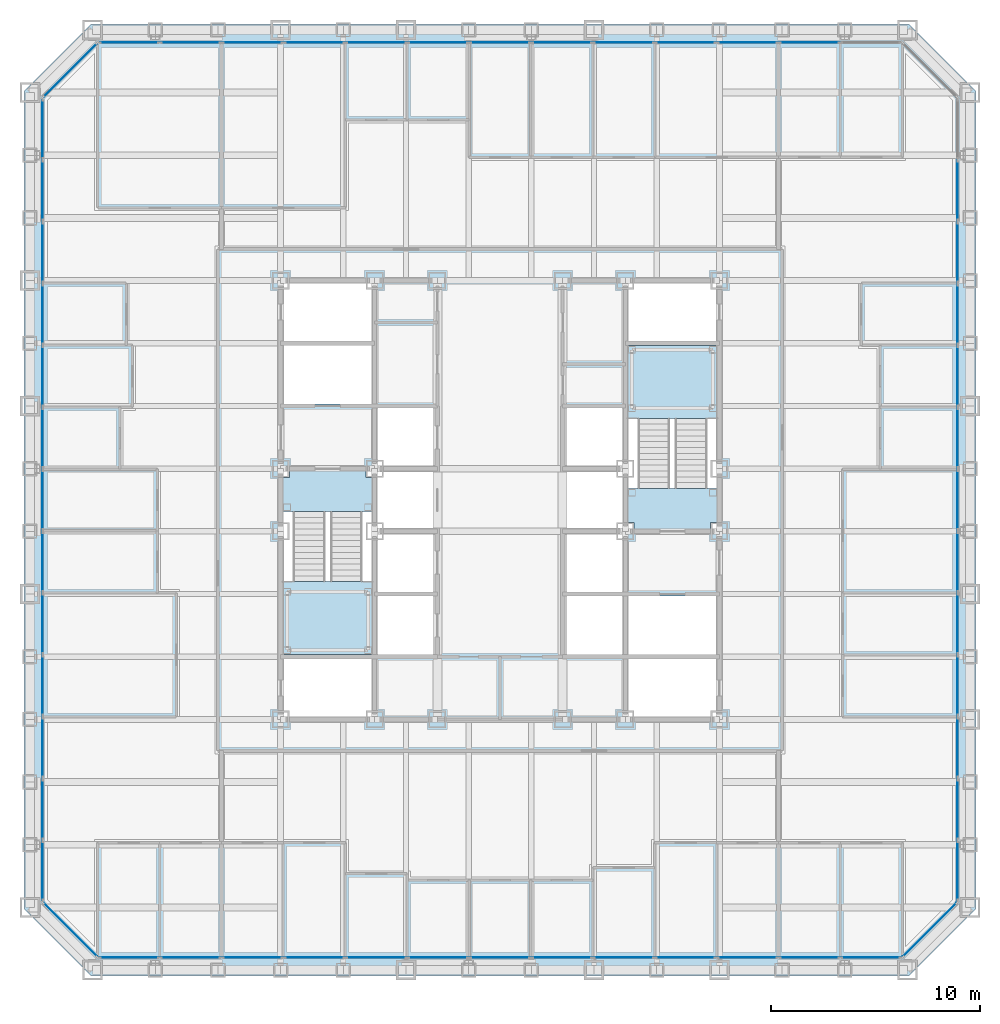
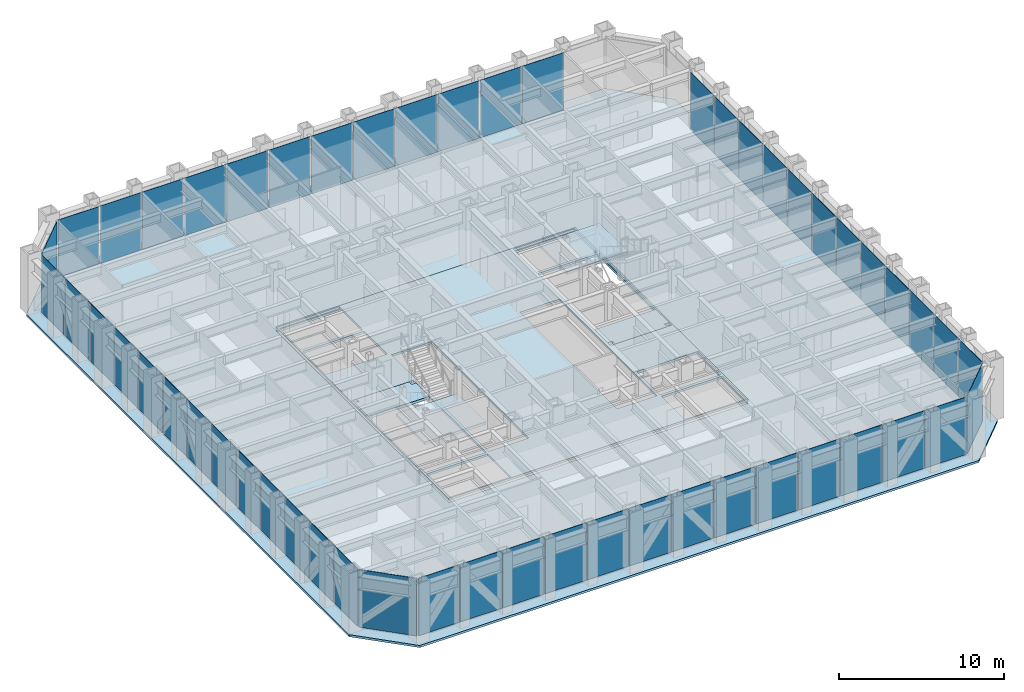
# One storey, part 7 of 16: 53 plates, 6 slabs, 9 elements without a shape of their own.
"""IFC4 building model written with IfcOpenShell, lengths in metres."""

import ifcopenshell
import ifcopenshell.guid

model = None  # the IFC model being written
_history = None  # IfcOwnerHistory: only IFC2X3 demands one
_inside = {}  # id of a spatial element -> (the spatial element, [elements in it])
_under = {}  # id of a project, library or spatial element -> (it, [spatial elements below it])
_declared = {}  # id of a project -> (the project, [libraries it declares])
_typed = {}  # id of a type object -> (the type object, [elements of that type])
_made_of = {}  # id of a material, layer set ... -> (it, [elements and type objects made of it])


def new_model(schema):
    """Start an empty IFC model of exactly this schema.

    Asked for "IFC4X3", IfcOpenShell would pick the latest addendum, in which some entities
    have other attributes; the version numbers below select the first issue.
    IFC2X3 requires an IfcOwnerHistory on every rooted entity: one is made here for all.
    """
    global model, _history
    if schema == "IFC4X3":
        model = ifcopenshell.file(schema_version=(4, 3, 0, 0))
    else:
        model = ifcopenshell.file(schema=schema)
    _inside.clear()
    _under.clear()
    _declared.clear()
    _typed.clear()
    _made_of.clear()
    _history = None
    if model.schema == "IFC2X3":
        org = make("IfcOrganization", Name="unknown")
        user = make(
            "IfcPersonAndOrganization",
            ThePerson=make("IfcPerson", FamilyName="unknown"),
            TheOrganization=org,
        )
        app = make(
            "IfcApplication",
            ApplicationDeveloper=org,
            Version="unknown",
            ApplicationFullName="unknown",
            ApplicationIdentifier="unknown",
        )
        _history = make(
            "IfcOwnerHistory",
            OwningUser=user,
            OwningApplication=app,
            ChangeAction="ADDED",
            CreationDate=0,
        )
    return model


def make(cls, **values):
    """One entity of the class cls with the attributes given. An attribute that is None is left unset."""
    return model.create_entity(
        cls, **{name: value for name, value in values.items() if value is not None}
    )


def rooted(cls, **values):
    """An entity with a GlobalId (a new one), such as an element, a storey or a relation."""
    return make(cls, GlobalId=ifcopenshell.guid.new(), OwnerHistory=_history, **values)


def si_unit(unit_type, name, prefix=None):
    """IfcSIUnit, for example si_unit("LENGTHUNIT", "METRE", prefix="MILLI")."""
    return make("IfcSIUnit", UnitType=unit_type, Prefix=prefix, Name=name)


def assignment(units):
    """IfcUnitAssignment: the units of a project."""
    return None if units is None else make("IfcUnitAssignment", Units=units)


def point(xyz):
    """IfcCartesianPoint."""
    return None if xyz is None else make("IfcCartesianPoint", Coordinates=xyz)


def direction(xyz):
    """IfcDirection."""
    return None if xyz is None else make("IfcDirection", DirectionRatios=xyz)


def frame(location, z_axis=None, x_axis=None):
    """IfcAxis2Placement3D, a coordinate frame: its origin and axes. An axis left out is left unset."""
    return make(
        "IfcAxis2Placement3D",
        Location=point(location),
        Axis=direction(z_axis),
        RefDirection=direction(x_axis),
    )


def frame_2d(location, x_axis=None):
    """IfcAxis2Placement2D, a coordinate frame in the plane: its origin and x axis."""
    return make(
        "IfcAxis2Placement2D", Location=point(location), RefDirection=direction(x_axis)
    )


def origin():
    """The frame at (0, 0, 0) with its axes left unset."""
    return frame((0.0, 0.0, 0.0))


def origin_2d():
    """The frame at (0, 0) in the plane with its x axis left unset."""
    return frame_2d((0.0, 0.0))


def place(relative_to, where):
    """IfcLocalPlacement: puts the frame where relative to a parent placement (None: the world)."""
    return make(
        "IfcLocalPlacement", PlacementRelTo=relative_to, RelativePlacement=where
    )


def context(
    kind, dimensions, precision=None, world=None, true_north=None, identifier=None
):
    """IfcGeometricRepresentationContext, for example the 3D "Model" context."""
    return make(
        "IfcGeometricRepresentationContext",
        ContextIdentifier=identifier,
        ContextType=kind,
        CoordinateSpaceDimension=dimensions,
        Precision=precision,
        WorldCoordinateSystem=world,
        TrueNorth=true_north,
    )


def subcontext(parent, identifier, kind, view, scale=None):
    """IfcGeometricRepresentationSubContext, for example "Body" below "Model"."""
    return make(
        "IfcGeometricRepresentationSubContext",
        ContextIdentifier=identifier,
        ContextType=kind,
        ParentContext=parent,
        TargetScale=scale,
        TargetView=view,
    )


def project(units=None, contexts=None):
    """IfcProject with its units and contexts."""
    return rooted(
        "IfcProject",
        Name="project",
        RepresentationContexts=contexts,
        UnitsInContext=assignment(units),
    )


def spatial(cls, under=None, at=None, **own):
    """A site, building, storey or space (cls), placed at a placement, below another one or the project."""
    s = rooted(cls, ObjectPlacement=at, **own)
    if under is not None:
        _under.setdefault(under.id(), (under, []))[1].append(s)
    return s


def polyline(points):
    """IfcPolyline through the points."""
    return make("IfcPolyline", Points=[point(p) for p in points])


def profile(cls, at=None, kind="AREA", **sizes):
    """A parametric profile (cls). Its sizes go by their IFC names, for example OverallWidth=200.0."""
    return make(cls, ProfileType=kind, Position=at, **sizes)


def rectangle(**sizes):
    """IfcRectangleProfileDef."""
    return profile("IfcRectangleProfileDef", **sizes)


def outline(outer, holes=None, kind="AREA"):
    """IfcArbitraryClosedProfileDef: a profile drawn as a closed curve; with holes, ...WithVoids."""
    if holes is None:
        return make("IfcArbitraryClosedProfileDef", ProfileType=kind, OuterCurve=outer)
    return make(
        "IfcArbitraryProfileDefWithVoids",
        ProfileType=kind,
        OuterCurve=outer,
        InnerCurves=holes,
    )


def extrude(swept, where, along, depth):
    """IfcExtrudedAreaSolid: the profile swept, set in the frame where, extruded along a direction by depth."""
    return make(
        "IfcExtrudedAreaSolid",
        SweptArea=swept,
        Position=where,
        ExtrudedDirection=direction(along),
        Depth=depth,
    )


def shape(context_of_items, identifier, shape_type, items):
    """IfcShapeRepresentation: the items that make up one representation, for example the "Body"."""
    return make(
        "IfcShapeRepresentation",
        ContextOfItems=context_of_items,
        RepresentationIdentifier=identifier,
        RepresentationType=shape_type,
        Items=items,
    )


def material(Name=None, Category=None):
    """IfcMaterial."""
    return make("IfcMaterial", Name=Name, Category=Category)


def layer(
    of_material, thickness, ventilated=None, Name=None, Category=None, Priority=None
):
    """IfcMaterialLayer: one layer of a wall or slab, of a material (None: an air gap)."""
    return make(
        "IfcMaterialLayer",
        Material=of_material,
        LayerThickness=thickness,
        IsVentilated=ventilated,
        Name=Name,
        Category=Category,
        Priority=Priority,
    )


def layer_set(layers, Name=None):
    """IfcMaterialLayerSet."""
    return make("IfcMaterialLayerSet", MaterialLayers=layers, LayerSetName=Name)


def made_of(thing, what):
    """Note that an element or type object is made of a material, layer set ...; save() writes the relation."""
    if what is not None:
        _made_of.setdefault(what.id(), (what, []))[1].append(thing)
    return thing


def type_object(cls, material=None, **own):
    """A type object (cls), such as IfcWallType, which elements share."""
    return made_of(rooted(cls, **own), material)


def element(
    cls,
    number,
    at=None,
    inside=None,
    cuts=None,
    type_object=None,
    material=None,
    context=None,
    identifier="Body",
    shape_type=None,
    held_by="IfcProductDefinitionShape",
    body=None,
    shapes=None,
    **own,
):
    """One element of the class cls, such as IfcWall. Its Tag is "e" and its number.

    at: its placement. inside: the storey or other place that contains it. cuts: it is an
    opening in that element (IfcRelVoidsElement). A single representation is given by context,
    identifier, shape_type and body (its items); several are given by shapes. held_by: the class
    of the entity that holds the representations. save() writes the other relations.
    """
    e = rooted(cls, Tag="e%d" % number, ObjectPlacement=at, **own)
    if body is not None:
        shapes = [shape(context, identifier, shape_type, body)]
    if shapes is not None:
        e.Representation = make(held_by, Representations=shapes)
    if inside is not None:
        _inside.setdefault(inside.id(), (inside, []))[1].append(e)
    if cuts is not None:
        rooted(
            "IfcRelVoidsElement", RelatingBuildingElement=cuts, RelatedOpeningElement=e
        )
    if type_object is not None:
        _typed.setdefault(type_object.id(), (type_object, []))[1].append(e)
    return made_of(e, material)


def aggregate(whole, parts):
    """IfcRelAggregates: a whole, such as a stair, and the parts it consists of."""
    return rooted("IfcRelAggregates", RelatingObject=whole, RelatedObjects=parts)


def save(model, path):
    """Write the relations noted so far, then the file.

    IfcRelAggregates (storeys below a building ...), IfcRelContainedInSpatialStructure (elements
    in a storey), IfcRelDefinesByType, IfcRelAssociatesMaterial and IfcRelDeclares: one each for
    every whole, place, type object, material and project.
    """
    for whole, parts in _under.values():
        aggregate(whole, parts)
    for where, things in _inside.values():
        rooted(
            "IfcRelContainedInSpatialStructure",
            RelatedElements=things,
            RelatingStructure=where,
        )
    for kind, things in _typed.values():
        rooted("IfcRelDefinesByType", RelatedObjects=things, RelatingType=kind)
    for what, things in _made_of.values():
        rooted("IfcRelAssociatesMaterial", RelatedObjects=things, RelatingMaterial=what)
    for by, libraries in _declared.values():
        rooted("IfcRelDeclares", RelatingContext=by, RelatedDefinitions=libraries)
    model.write(path)


model = new_model("IFC4")

# Units and contexts
model_context = context("Model", 3, precision=1e-05, world=origin(), true_north=direction((0.0, 1.0)))
body_context = subcontext(model_context, "Body", "Model", "MODEL_VIEW")
ifc_project = project(units=[si_unit("LENGTHUNIT", "METRE"), si_unit("AREAUNIT", "SQUARE_METRE"), si_unit("VOLUMEUNIT", "CUBIC_METRE"), si_unit("PLANEANGLEUNIT", "RADIAN"), si_unit("MASSUNIT", "GRAM", prefix="KILO")], contexts=[model_context])

# Site, building, storey
site_placement = place(None, origin())
site = spatial("IfcSite", under=ifc_project, at=site_placement, CompositionType="ELEMENT")
building_placement = place(site_placement, origin())
building = spatial("IfcBuilding", under=site, at=building_placement, Name="Chuquiago Exchange Tower", CompositionType="ELEMENT")
storey_placement = place(building_placement, frame((0.0, 0.0, 73.800048828125)))
storey = spatial("IfcBuildingStorey", under=building, at=storey_placement, Name="L15", CompositionType="ELEMENT", Elevation=73.800048828125)

# Curtain wall, plates
ifc_material_1 = material(Name="Aluminium curtain wall system", Category="aluminium")
ifc_layer_1 = layer(ifc_material_1, 0.25)
ifc_layer_set_1 = layer_set([ifc_layer_1], Name="CW1 trading floor curtain wall")
curtain_wall_type_1 = type_object("IfcCurtainWallType", Name="CW1 trading floor curtain wall", PredefinedType="NOTDEFINED", material=ifc_layer_set_1)
curtain_wall_1_placement = place(storey_placement, origin())
curtain_wall_1 = element("IfcCurtainWall", 1, at=curtain_wall_1_placement, inside=storey, type_object=curtain_wall_type_1, Name="CW1 curtain wall L15", PredefinedType="NOTDEFINED")
ifc_material_2 = material(Name="Glass, insulating unit", Category="glass")
ifc_layer_2 = layer(ifc_material_2, 0.031982421875)
ifc_layer_set_2 = layer_set([ifc_layer_2], Name="CW1-P panel 32")
plate_type_1 = type_object("IfcPlateType", Name="CW1-P panel 32", PredefinedType="CURTAIN_PANEL", material=ifc_layer_set_2)
plate_1_placement = place(storey_placement, frame((10.65283203125, 0.60009765625, -0.22509765625), z_axis=(0.0, 0.0, 1.0), x_axis=(1.0, 0.0, 0.0)))
plate_1 = element("IfcPlate", 2, at=plate_1_placement, type_object=plate_type_1, Name="CW1 panel 3.1", PredefinedType="CURTAIN_PANEL", context=body_context, shape_type="SweptSolid", body=[
    extrude(rectangle(XDim=2.88671875, YDim=0.031982421875, at=origin_2d()), origin(), (0.0, 0.0, 1.0), 4.264892578125),
])
plate_2_placement = place(storey_placement, frame((13.61474609375, 0.60009765625, -0.22509765625), z_axis=(0.0, 0.0, 1.0), x_axis=(1.0, 0.0, 0.0)))
plate_2 = element("IfcPlate", 3, at=plate_2_placement, type_object=plate_type_1, Name="CW1 panel 4.1", PredefinedType="CURTAIN_PANEL", context=body_context, shape_type="SweptSolid", body=[
    extrude(rectangle(XDim=2.88671875, YDim=0.031982421875, at=origin_2d()), origin(), (0.0, 0.0, 1.0), 4.264892578125),
])
plate_3_placement = place(storey_placement, frame((16.576416015625, 0.60009765625, -0.22509765625), z_axis=(0.0, 0.0, 1.0), x_axis=(1.0, 0.0, 0.0)))
plate_3 = element("IfcPlate", 4, at=plate_3_placement, type_object=plate_type_1, Name="CW1 panel 5.1", PredefinedType="CURTAIN_PANEL", context=body_context, shape_type="SweptSolid", body=[
    extrude(rectangle(XDim=2.88671875, YDim=0.031982421875, at=origin_2d()), origin(), (0.0, 0.0, 1.0), 4.264892578125),
])
plate_4_placement = place(storey_placement, frame((25.461669921875, 0.60009765625, -0.22509765625), z_axis=(0.0, 0.0, 1.0), x_axis=(1.0, 0.0, 0.0)))
plate_4 = element("IfcPlate", 5, at=plate_4_placement, type_object=plate_type_1, Name="CW1 panel 8.1", PredefinedType="CURTAIN_PANEL", context=body_context, shape_type="SweptSolid", body=[
    extrude(rectangle(XDim=2.88671875, YDim=0.031982421875, at=origin_2d()), origin(), (0.0, 0.0, 1.0), 4.264892578125),
])
plate_5_placement = place(storey_placement, frame((28.423583984375, 0.60009765625, -0.22509765625), z_axis=(0.0, 0.0, 1.0), x_axis=(1.0, 0.0, 0.0)))
plate_5 = element("IfcPlate", 6, at=plate_5_placement, type_object=plate_type_1, Name="CW1 panel 9.1", PredefinedType="CURTAIN_PANEL", context=body_context, shape_type="SweptSolid", body=[
    extrude(rectangle(XDim=2.88671875, YDim=0.031982421875, at=origin_2d()), origin(), (0.0, 0.0, 1.0), 4.264892578125),
])
plate_6_placement = place(storey_placement, frame((31.38525390625, 0.60009765625, -0.22509765625), z_axis=(0.0, 0.0, 1.0), x_axis=(1.0, 0.0, 0.0)))
plate_6 = element("IfcPlate", 7, at=plate_6_placement, type_object=plate_type_1, Name="CW1 panel 10.1", PredefinedType="CURTAIN_PANEL", context=body_context, shape_type="SweptSolid", body=[
    extrude(rectangle(XDim=2.88671875, YDim=0.031982421875, at=origin_2d()), origin(), (0.0, 0.0, 1.0), 4.264892578125),
])
plate_7_placement = place(storey_placement, frame((34.34716796875, 0.60009765625, -0.22509765625), z_axis=(0.0, 0.0, 1.0), x_axis=(1.0, 0.0, 0.0)))
plate_7 = element("IfcPlate", 8, at=plate_7_placement, type_object=plate_type_1, Name="CW1 panel 11.1", PredefinedType="CURTAIN_PANEL", context=body_context, shape_type="SweptSolid", body=[
    extrude(rectangle(XDim=2.88671875, YDim=0.031982421875, at=origin_2d()), origin(), (0.0, 0.0, 1.0), 4.264892578125),
])

curtain_wall_2_placement = place(storey_placement, origin())
curtain_wall_2 = element("IfcCurtainWall", 9, at=curtain_wall_2_placement, inside=storey, type_object=curtain_wall_type_1, Name="CW1 curtain wall L15", PredefinedType="NOTDEFINED")
plate_8_placement = place(storey_placement, frame((44.39990234375, 10.65283203125, -0.22509765625), z_axis=(0.0, 0.0, 1.0), x_axis=(0.0, 1.0, 0.0)))
plate_8 = element("IfcPlate", 10, at=plate_8_placement, type_object=plate_type_1, Name="CW1 panel 3.1", PredefinedType="CURTAIN_PANEL", context=body_context, shape_type="SweptSolid", body=[
    extrude(rectangle(XDim=2.88671875, YDim=0.031982421875, at=origin_2d()), origin(), (0.0, 0.0, 1.0), 4.264892578125),
])
plate_9_placement = place(storey_placement, frame((44.39990234375, 13.61474609375, -0.22509765625), z_axis=(0.0, 0.0, 1.0), x_axis=(0.0, 1.0, 0.0)))
plate_9 = element("IfcPlate", 11, at=plate_9_placement, type_object=plate_type_1, Name="CW1 panel 4.1", PredefinedType="CURTAIN_PANEL", context=body_context, shape_type="SweptSolid", body=[
    extrude(rectangle(XDim=2.88671875, YDim=0.031982421875, at=origin_2d()), origin(), (0.0, 0.0, 1.0), 4.264892578125),
])
plate_10_placement = place(storey_placement, frame((44.39990234375, 16.576416015625, -0.22509765625), z_axis=(0.0, 0.0, 1.0), x_axis=(0.0, 1.0, 0.0)))
plate_10 = element("IfcPlate", 12, at=plate_10_placement, type_object=plate_type_1, Name="CW1 panel 5.1", PredefinedType="CURTAIN_PANEL", context=body_context, shape_type="SweptSolid", body=[
    extrude(rectangle(XDim=2.88671875, YDim=0.031982421875, at=origin_2d()), origin(), (0.0, 0.0, 1.0), 4.264892578125),
])
plate_11_placement = place(storey_placement, frame((44.39990234375, 25.461669921875, -0.22509765625), z_axis=(0.0, 0.0, 1.0), x_axis=(0.0, 1.0, 0.0)))
plate_11 = element("IfcPlate", 13, at=plate_11_placement, type_object=plate_type_1, Name="CW1 panel 8.1", PredefinedType="CURTAIN_PANEL", context=body_context, shape_type="SweptSolid", body=[
    extrude(rectangle(XDim=2.88671875, YDim=0.031982421875, at=origin_2d()), origin(), (0.0, 0.0, 1.0), 4.264892578125),
])
plate_12_placement = place(storey_placement, frame((44.39990234375, 28.423583984375, -0.22509765625), z_axis=(0.0, 0.0, 1.0), x_axis=(0.0, 1.0, 0.0)))
plate_12 = element("IfcPlate", 14, at=plate_12_placement, type_object=plate_type_1, Name="CW1 panel 9.1", PredefinedType="CURTAIN_PANEL", context=body_context, shape_type="SweptSolid", body=[
    extrude(rectangle(XDim=2.88671875, YDim=0.031982421875, at=origin_2d()), origin(), (0.0, 0.0, 1.0), 4.264892578125),
])
plate_13_placement = place(storey_placement, frame((44.39990234375, 31.38525390625, -0.22509765625), z_axis=(0.0, 0.0, 1.0), x_axis=(0.0, 1.0, 0.0)))
plate_13 = element("IfcPlate", 15, at=plate_13_placement, type_object=plate_type_1, Name="CW1 panel 10.1", PredefinedType="CURTAIN_PANEL", context=body_context, shape_type="SweptSolid", body=[
    extrude(rectangle(XDim=2.88671875, YDim=0.031982421875, at=origin_2d()), origin(), (0.0, 0.0, 1.0), 4.264892578125),
])
plate_14_placement = place(storey_placement, frame((44.39990234375, 34.34716796875, -0.22509765625), z_axis=(0.0, 0.0, 1.0), x_axis=(0.0, 1.0, 0.0)))
plate_14 = element("IfcPlate", 16, at=plate_14_placement, type_object=plate_type_1, Name="CW1 panel 11.1", PredefinedType="CURTAIN_PANEL", context=body_context, shape_type="SweptSolid", body=[
    extrude(rectangle(XDim=2.88671875, YDim=0.031982421875, at=origin_2d()), origin(), (0.0, 0.0, 1.0), 4.264892578125),
])

curtain_wall_3_placement = place(storey_placement, origin())
curtain_wall_3 = element("IfcCurtainWall", 17, at=curtain_wall_3_placement, inside=storey, type_object=curtain_wall_type_1, Name="CW1 curtain wall L15", PredefinedType="NOTDEFINED")
plate_15_placement = place(storey_placement, frame((34.34716796875, 44.39990234375, -0.22509765625), z_axis=(0.0, 0.0, 1.0), x_axis=(-1.0, 0.0, 0.0)))
plate_15 = element("IfcPlate", 18, at=plate_15_placement, type_object=plate_type_1, Name="CW1 panel 3.1", PredefinedType="CURTAIN_PANEL", context=body_context, shape_type="SweptSolid", body=[
    extrude(rectangle(XDim=2.88671875, YDim=0.031982421875, at=origin_2d()), origin(), (0.0, 0.0, 1.0), 4.264892578125),
])
plate_16_placement = place(storey_placement, frame((31.38525390625, 44.39990234375, -0.22509765625), z_axis=(0.0, 0.0, 1.0), x_axis=(-1.0, 0.0, 0.0)))
plate_16 = element("IfcPlate", 19, at=plate_16_placement, type_object=plate_type_1, Name="CW1 panel 4.1", PredefinedType="CURTAIN_PANEL", context=body_context, shape_type="SweptSolid", body=[
    extrude(rectangle(XDim=2.88671875, YDim=0.031982421875, at=origin_2d()), origin(), (0.0, 0.0, 1.0), 4.264892578125),
])
plate_17_placement = place(storey_placement, frame((28.423583984375, 44.39990234375, -0.22509765625), z_axis=(0.0, 0.0, 1.0), x_axis=(-1.0, 0.0, 0.0)))
plate_17 = element("IfcPlate", 20, at=plate_17_placement, type_object=plate_type_1, Name="CW1 panel 5.1", PredefinedType="CURTAIN_PANEL", context=body_context, shape_type="SweptSolid", body=[
    extrude(rectangle(XDim=2.88671875, YDim=0.031982421875, at=origin_2d()), origin(), (0.0, 0.0, 1.0), 4.264892578125),
])
plate_18_placement = place(storey_placement, frame((19.538330078125, 44.39990234375, -0.22509765625), z_axis=(0.0, 0.0, 1.0), x_axis=(-1.0, 0.0, 0.0)))
plate_18 = element("IfcPlate", 21, at=plate_18_placement, type_object=plate_type_1, Name="CW1 panel 8.1", PredefinedType="CURTAIN_PANEL", context=body_context, shape_type="SweptSolid", body=[
    extrude(rectangle(XDim=2.88671875, YDim=0.031982421875, at=origin_2d()), origin(), (0.0, 0.0, 1.0), 4.264892578125),
])
plate_19_placement = place(storey_placement, frame((16.576416015625, 44.39990234375, -0.22509765625), z_axis=(0.0, 0.0, 1.0), x_axis=(-1.0, 0.0, 0.0)))
plate_19 = element("IfcPlate", 22, at=plate_19_placement, type_object=plate_type_1, Name="CW1 panel 9.1", PredefinedType="CURTAIN_PANEL", context=body_context, shape_type="SweptSolid", body=[
    extrude(rectangle(XDim=2.88671875, YDim=0.031982421875, at=origin_2d()), origin(), (0.0, 0.0, 1.0), 4.264892578125),
])
plate_20_placement = place(storey_placement, frame((13.61474609375, 44.39990234375, -0.22509765625), z_axis=(0.0, 0.0, 1.0), x_axis=(-1.0, 0.0, 0.0)))
plate_20 = element("IfcPlate", 23, at=plate_20_placement, type_object=plate_type_1, Name="CW1 panel 10.1", PredefinedType="CURTAIN_PANEL", context=body_context, shape_type="SweptSolid", body=[
    extrude(rectangle(XDim=2.88671875, YDim=0.031982421875, at=origin_2d()), origin(), (0.0, 0.0, 1.0), 4.264892578125),
])
plate_21_placement = place(storey_placement, frame((10.65283203125, 44.39990234375, -0.22509765625), z_axis=(0.0, 0.0, 1.0), x_axis=(-1.0, 0.0, 0.0)))
plate_21 = element("IfcPlate", 24, at=plate_21_placement, type_object=plate_type_1, Name="CW1 panel 11.1", PredefinedType="CURTAIN_PANEL", context=body_context, shape_type="SweptSolid", body=[
    extrude(rectangle(XDim=2.88671875, YDim=0.031982421875, at=origin_2d()), origin(), (0.0, 0.0, 1.0), 4.264892578125),
])

curtain_wall_4_placement = place(storey_placement, origin())
curtain_wall_4 = element("IfcCurtainWall", 25, at=curtain_wall_4_placement, inside=storey, type_object=curtain_wall_type_1, Name="CW1 curtain wall L15", PredefinedType="NOTDEFINED")
plate_22_placement = place(storey_placement, frame((0.60009765625, 34.34716796875, -0.22509765625), z_axis=(0.0, 0.0, 1.0), x_axis=(0.0, -1.0, 0.0)))
plate_22 = element("IfcPlate", 26, at=plate_22_placement, type_object=plate_type_1, Name="CW1 panel 3.1", PredefinedType="CURTAIN_PANEL", context=body_context, shape_type="SweptSolid", body=[
    extrude(rectangle(XDim=2.88671875, YDim=0.031982421875, at=origin_2d()), origin(), (0.0, 0.0, 1.0), 4.264892578125),
])
plate_23_placement = place(storey_placement, frame((0.60009765625, 31.38525390625, -0.22509765625), z_axis=(0.0, 0.0, 1.0), x_axis=(0.0, -1.0, 0.0)))
plate_23 = element("IfcPlate", 27, at=plate_23_placement, type_object=plate_type_1, Name="CW1 panel 4.1", PredefinedType="CURTAIN_PANEL", context=body_context, shape_type="SweptSolid", body=[
    extrude(rectangle(XDim=2.88671875, YDim=0.031982421875, at=origin_2d()), origin(), (0.0, 0.0, 1.0), 4.264892578125),
])
plate_24_placement = place(storey_placement, frame((0.60009765625, 28.423583984375, -0.22509765625), z_axis=(0.0, 0.0, 1.0), x_axis=(0.0, -1.0, 0.0)))
plate_24 = element("IfcPlate", 28, at=plate_24_placement, type_object=plate_type_1, Name="CW1 panel 5.1", PredefinedType="CURTAIN_PANEL", context=body_context, shape_type="SweptSolid", body=[
    extrude(rectangle(XDim=2.88671875, YDim=0.031982421875, at=origin_2d()), origin(), (0.0, 0.0, 1.0), 4.264892578125),
])
plate_25_placement = place(storey_placement, frame((0.60009765625, 19.538330078125, -0.22509765625), z_axis=(0.0, 0.0, 1.0), x_axis=(0.0, -1.0, 0.0)))
plate_25 = element("IfcPlate", 29, at=plate_25_placement, type_object=plate_type_1, Name="CW1 panel 8.1", PredefinedType="CURTAIN_PANEL", context=body_context, shape_type="SweptSolid", body=[
    extrude(rectangle(XDim=2.88671875, YDim=0.031982421875, at=origin_2d()), origin(), (0.0, 0.0, 1.0), 4.264892578125),
])
plate_26_placement = place(storey_placement, frame((0.60009765625, 16.576416015625, -0.22509765625), z_axis=(0.0, 0.0, 1.0), x_axis=(0.0, -1.0, 0.0)))
plate_26 = element("IfcPlate", 30, at=plate_26_placement, type_object=plate_type_1, Name="CW1 panel 9.1", PredefinedType="CURTAIN_PANEL", context=body_context, shape_type="SweptSolid", body=[
    extrude(rectangle(XDim=2.88671875, YDim=0.031982421875, at=origin_2d()), origin(), (0.0, 0.0, 1.0), 4.264892578125),
])
plate_27_placement = place(storey_placement, frame((0.60009765625, 13.61474609375, -0.22509765625), z_axis=(0.0, 0.0, 1.0), x_axis=(0.0, -1.0, 0.0)))
plate_27 = element("IfcPlate", 31, at=plate_27_placement, type_object=plate_type_1, Name="CW1 panel 10.1", PredefinedType="CURTAIN_PANEL", context=body_context, shape_type="SweptSolid", body=[
    extrude(rectangle(XDim=2.88671875, YDim=0.031982421875, at=origin_2d()), origin(), (0.0, 0.0, 1.0), 4.264892578125),
])
plate_28_placement = place(storey_placement, frame((0.60009765625, 10.65283203125, -0.22509765625), z_axis=(0.0, 0.0, 1.0), x_axis=(0.0, -1.0, 0.0)))
plate_28 = element("IfcPlate", 32, at=plate_28_placement, type_object=plate_type_1, Name="CW1 panel 11.1", PredefinedType="CURTAIN_PANEL", context=body_context, shape_type="SweptSolid", body=[
    extrude(rectangle(XDim=2.88671875, YDim=0.031982421875, at=origin_2d()), origin(), (0.0, 0.0, 1.0), 4.264892578125),
])

# Plate
ifc_material_3 = material(Name="Insulated spandrel panel, pale anodised aluminium", Category="aluminium")
ifc_layer_3 = layer(ifc_material_3, 0.031982421875)
ifc_layer_set_3 = layer_set([ifc_layer_3], Name="CW1-P spandrel panel 32")
plate_type_2 = type_object("IfcPlateType", Name="CW1-P spandrel panel 32", PredefinedType="CURTAIN_PANEL", material=ifc_layer_set_3)
plate_29_placement = place(storey_placement, frame((4.748046875, 0.60009765625, -0.22509765625), z_axis=(0.0, 0.0, 1.0), x_axis=(1.0, 0.0, 0.0)))
plate_29 = element("IfcPlate", 33, at=plate_29_placement, type_object=plate_type_2, Name="CW1 panel 1.1", PredefinedType="CURTAIN_PANEL", context=body_context, shape_type="SweptSolid", body=[
    extrude(rectangle(XDim=2.849365234375, YDim=0.031982421875, at=origin_2d()), origin(), (0.0, 0.0, 1.0), 4.264892578125),
])

plate_30_placement = place(storey_placement, frame((7.691162109375, 0.60009765625, -0.22509765625), z_axis=(0.0, 0.0, 1.0), x_axis=(1.0, 0.0, 0.0)))
plate_30 = element("IfcPlate", 34, at=plate_30_placement, type_object=plate_type_2, Name="CW1 panel 2.1", PredefinedType="CURTAIN_PANEL", context=body_context, shape_type="SweptSolid", body=[
    extrude(rectangle(XDim=2.88671875, YDim=0.031982421875, at=origin_2d()), origin(), (0.0, 0.0, 1.0), 4.264892578125),
])

plate_31_placement = place(storey_placement, frame((19.538330078125, 0.60009765625, -0.22509765625), z_axis=(0.0, 0.0, 1.0), x_axis=(1.0, 0.0, 0.0)))
plate_31 = element("IfcPlate", 35, at=plate_31_placement, type_object=plate_type_2, Name="CW1 panel 6.1", PredefinedType="CURTAIN_PANEL", context=body_context, shape_type="SweptSolid", body=[
    extrude(rectangle(XDim=2.88671875, YDim=0.031982421875, at=origin_2d()), origin(), (0.0, 0.0, 1.0), 4.264892578125),
])

plate_32_placement = place(storey_placement, frame((22.5, 0.60009765625, -0.22509765625), z_axis=(0.0, 0.0, 1.0), x_axis=(1.0, 0.0, 0.0)))
plate_32 = element("IfcPlate", 36, at=plate_32_placement, type_object=plate_type_2, Name="CW1 panel 7.1", PredefinedType="CURTAIN_PANEL", context=body_context, shape_type="SweptSolid", body=[
    extrude(rectangle(XDim=2.88671875, YDim=0.031982421875, at=origin_2d()), origin(), (0.0, 0.0, 1.0), 4.264892578125),
])

plate_33_placement = place(storey_placement, frame((37.308837890625, 0.60009765625, -0.22509765625), z_axis=(0.0, 0.0, 1.0), x_axis=(1.0, 0.0, 0.0)))
plate_33 = element("IfcPlate", 37, at=plate_33_placement, type_object=plate_type_2, Name="CW1 panel 12.1", PredefinedType="CURTAIN_PANEL", context=body_context, shape_type="SweptSolid", body=[
    extrude(rectangle(XDim=2.88671875, YDim=0.031982421875, at=origin_2d()), origin(), (0.0, 0.0, 1.0), 4.264892578125),
])

plate_34_placement = place(storey_placement, frame((40.251953125, 0.60009765625, -0.22509765625), z_axis=(0.0, 0.0, 1.0), x_axis=(1.0, 0.0, 0.0)))
plate_34 = element("IfcPlate", 38, at=plate_34_placement, type_object=plate_type_2, Name="CW1 panel 13.1", PredefinedType="CURTAIN_PANEL", context=body_context, shape_type="SweptSolid", body=[
    extrude(rectangle(XDim=2.849365234375, YDim=0.031982421875, at=origin_2d()), origin(), (0.0, 0.0, 1.0), 4.264892578125),
])

aggregate(curtain_wall_1, [plate_29, plate_30, plate_1, plate_2, plate_3, plate_31, plate_32, plate_4, plate_5, plate_6, plate_7, plate_33, plate_34])

plate_35_placement = place(storey_placement, frame((44.39990234375, 4.748046875, -0.22509765625), z_axis=(0.0, 0.0, 1.0), x_axis=(0.0, 1.0, 0.0)))
plate_35 = element("IfcPlate", 39, at=plate_35_placement, type_object=plate_type_2, Name="CW1 panel 1.1", PredefinedType="CURTAIN_PANEL", context=body_context, shape_type="SweptSolid", body=[
    extrude(rectangle(XDim=2.849365234375, YDim=0.031982421875, at=origin_2d()), origin(), (0.0, 0.0, 1.0), 4.264892578125),
])

plate_36_placement = place(storey_placement, frame((44.39990234375, 7.691162109375, -0.22509765625), z_axis=(0.0, 0.0, 1.0), x_axis=(0.0, 1.0, 0.0)))
plate_36 = element("IfcPlate", 40, at=plate_36_placement, type_object=plate_type_2, Name="CW1 panel 2.1", PredefinedType="CURTAIN_PANEL", context=body_context, shape_type="SweptSolid", body=[
    extrude(rectangle(XDim=2.88671875, YDim=0.031982421875, at=origin_2d()), origin(), (0.0, 0.0, 1.0), 4.264892578125),
])

plate_37_placement = place(storey_placement, frame((44.39990234375, 19.538330078125, -0.22509765625), z_axis=(0.0, 0.0, 1.0), x_axis=(0.0, 1.0, 0.0)))
plate_37 = element("IfcPlate", 41, at=plate_37_placement, type_object=plate_type_2, Name="CW1 panel 6.1", PredefinedType="CURTAIN_PANEL", context=body_context, shape_type="SweptSolid", body=[
    extrude(rectangle(XDim=2.88671875, YDim=0.031982421875, at=origin_2d()), origin(), (0.0, 0.0, 1.0), 4.264892578125),
])

plate_38_placement = place(storey_placement, frame((44.39990234375, 22.5, -0.22509765625), z_axis=(0.0, 0.0, 1.0), x_axis=(0.0, 1.0, 0.0)))
plate_38 = element("IfcPlate", 42, at=plate_38_placement, type_object=plate_type_2, Name="CW1 panel 7.1", PredefinedType="CURTAIN_PANEL", context=body_context, shape_type="SweptSolid", body=[
    extrude(rectangle(XDim=2.88671875, YDim=0.031982421875, at=origin_2d()), origin(), (0.0, 0.0, 1.0), 4.264892578125),
])

plate_39_placement = place(storey_placement, frame((44.39990234375, 37.308837890625, -0.22509765625), z_axis=(0.0, 0.0, 1.0), x_axis=(0.0, 1.0, 0.0)))
plate_39 = element("IfcPlate", 43, at=plate_39_placement, type_object=plate_type_2, Name="CW1 panel 12.1", PredefinedType="CURTAIN_PANEL", context=body_context, shape_type="SweptSolid", body=[
    extrude(rectangle(XDim=2.88671875, YDim=0.031982421875, at=origin_2d()), origin(), (0.0, 0.0, 1.0), 4.264892578125),
])

aggregate(curtain_wall_2, [plate_35, plate_36, plate_8, plate_9, plate_10, plate_37, plate_38, plate_11, plate_12, plate_13, plate_14, plate_39])

plate_40_placement = place(storey_placement, frame((37.308837890625, 44.39990234375, -0.22509765625), z_axis=(0.0, 0.0, 1.0), x_axis=(-1.0, 0.0, 0.0)))
plate_40 = element("IfcPlate", 44, at=plate_40_placement, type_object=plate_type_2, Name="CW1 panel 2.1", PredefinedType="CURTAIN_PANEL", context=body_context, shape_type="SweptSolid", body=[
    extrude(rectangle(XDim=2.88671875, YDim=0.031982421875, at=origin_2d()), origin(), (0.0, 0.0, 1.0), 4.264892578125),
])

plate_41_placement = place(storey_placement, frame((25.461669921875, 44.39990234375, -0.22509765625), z_axis=(0.0, 0.0, 1.0), x_axis=(-1.0, 0.0, 0.0)))
plate_41 = element("IfcPlate", 45, at=plate_41_placement, type_object=plate_type_2, Name="CW1 panel 6.1", PredefinedType="CURTAIN_PANEL", context=body_context, shape_type="SweptSolid", body=[
    extrude(rectangle(XDim=2.88671875, YDim=0.031982421875, at=origin_2d()), origin(), (0.0, 0.0, 1.0), 4.264892578125),
])

plate_42_placement = place(storey_placement, frame((22.5, 44.39990234375, -0.22509765625), z_axis=(0.0, 0.0, 1.0), x_axis=(-1.0, 0.0, 0.0)))
plate_42 = element("IfcPlate", 46, at=plate_42_placement, type_object=plate_type_2, Name="CW1 panel 7.1", PredefinedType="CURTAIN_PANEL", context=body_context, shape_type="SweptSolid", body=[
    extrude(rectangle(XDim=2.88671875, YDim=0.031982421875, at=origin_2d()), origin(), (0.0, 0.0, 1.0), 4.264892578125),
])

plate_43_placement = place(storey_placement, frame((7.691162109375, 44.39990234375, -0.22509765625), z_axis=(0.0, 0.0, 1.0), x_axis=(-1.0, 0.0, 0.0)))
plate_43 = element("IfcPlate", 47, at=plate_43_placement, type_object=plate_type_2, Name="CW1 panel 12.1", PredefinedType="CURTAIN_PANEL", context=body_context, shape_type="SweptSolid", body=[
    extrude(rectangle(XDim=2.88671875, YDim=0.031982421875, at=origin_2d()), origin(), (0.0, 0.0, 1.0), 4.264892578125),
])

plate_44_placement = place(storey_placement, frame((4.748046875, 44.39990234375, -0.22509765625), z_axis=(0.0, 0.0, 1.0), x_axis=(-1.0, 0.0, 0.0)))
plate_44 = element("IfcPlate", 48, at=plate_44_placement, type_object=plate_type_2, Name="CW1 panel 13.1", PredefinedType="CURTAIN_PANEL", context=body_context, shape_type="SweptSolid", body=[
    extrude(rectangle(XDim=2.849365234375, YDim=0.031982421875, at=origin_2d()), origin(), (0.0, 0.0, 1.0), 4.264892578125),
])

aggregate(curtain_wall_3, [plate_40, plate_15, plate_16, plate_17, plate_41, plate_42, plate_18, plate_19, plate_20, plate_21, plate_43, plate_44])

plate_45_placement = place(storey_placement, frame((0.60009765625, 40.251953125, -0.22509765625), z_axis=(0.0, 0.0, 1.0), x_axis=(0.0, -1.0, 0.0)))
plate_45 = element("IfcPlate", 49, at=plate_45_placement, type_object=plate_type_2, Name="CW1 panel 1.1", PredefinedType="CURTAIN_PANEL", context=body_context, shape_type="SweptSolid", body=[
    extrude(rectangle(XDim=2.849365234375, YDim=0.031982421875, at=origin_2d()), origin(), (0.0, 0.0, 1.0), 4.264892578125),
])

plate_46_placement = place(storey_placement, frame((0.60009765625, 37.308837890625, -0.22509765625), z_axis=(0.0, 0.0, 1.0), x_axis=(0.0, -1.0, 0.0)))
plate_46 = element("IfcPlate", 50, at=plate_46_placement, type_object=plate_type_2, Name="CW1 panel 2.1", PredefinedType="CURTAIN_PANEL", context=body_context, shape_type="SweptSolid", body=[
    extrude(rectangle(XDim=2.88671875, YDim=0.031982421875, at=origin_2d()), origin(), (0.0, 0.0, 1.0), 4.264892578125),
])

plate_47_placement = place(storey_placement, frame((0.60009765625, 25.461669921875, -0.22509765625), z_axis=(0.0, 0.0, 1.0), x_axis=(0.0, -1.0, 0.0)))
plate_47 = element("IfcPlate", 51, at=plate_47_placement, type_object=plate_type_2, Name="CW1 panel 6.1", PredefinedType="CURTAIN_PANEL", context=body_context, shape_type="SweptSolid", body=[
    extrude(rectangle(XDim=2.88671875, YDim=0.031982421875, at=origin_2d()), origin(), (0.0, 0.0, 1.0), 4.264892578125),
])

plate_48_placement = place(storey_placement, frame((0.60009765625, 22.5, -0.22509765625), z_axis=(0.0, 0.0, 1.0), x_axis=(0.0, -1.0, 0.0)))
plate_48 = element("IfcPlate", 52, at=plate_48_placement, type_object=plate_type_2, Name="CW1 panel 7.1", PredefinedType="CURTAIN_PANEL", context=body_context, shape_type="SweptSolid", body=[
    extrude(rectangle(XDim=2.88671875, YDim=0.031982421875, at=origin_2d()), origin(), (0.0, 0.0, 1.0), 4.264892578125),
])

plate_49_placement = place(storey_placement, frame((0.60009765625, 7.691162109375, -0.22509765625), z_axis=(0.0, 0.0, 1.0), x_axis=(0.0, -1.0, 0.0)))
plate_49 = element("IfcPlate", 53, at=plate_49_placement, type_object=plate_type_2, Name="CW1 panel 12.1", PredefinedType="CURTAIN_PANEL", context=body_context, shape_type="SweptSolid", body=[
    extrude(rectangle(XDim=2.88671875, YDim=0.031982421875, at=origin_2d()), origin(), (0.0, 0.0, 1.0), 4.264892578125),
])

plate_50_placement = place(storey_placement, frame((0.60009765625, 4.748046875, -0.22509765625), z_axis=(0.0, 0.0, 1.0), x_axis=(0.0, -1.0, 0.0)))
plate_50 = element("IfcPlate", 54, at=plate_50_placement, type_object=plate_type_2, Name="CW1 panel 13.1", PredefinedType="CURTAIN_PANEL", context=body_context, shape_type="SweptSolid", body=[
    extrude(rectangle(XDim=2.849365234375, YDim=0.031982421875, at=origin_2d()), origin(), (0.0, 0.0, 1.0), 4.264892578125),
])

aggregate(curtain_wall_4, [plate_45, plate_46, plate_22, plate_23, plate_24, plate_47, plate_48, plate_25, plate_26, plate_27, plate_28, plate_49, plate_50])

# Curtain wall, plate
ifc_material_4 = material(Name="Aluminium curtain wall system", Category="aluminium")
ifc_layer_4 = layer(ifc_material_4, 0.199951171875)
ifc_layer_set_4 = layer_set([ifc_layer_4], Name="CW3 facet curtain wall")
curtain_wall_type_2 = type_object("IfcCurtainWallType", Name="CW3 facet curtain wall", PredefinedType="NOTDEFINED", material=ifc_layer_set_4)
curtain_wall_5_placement = place(storey_placement, origin())
curtain_wall_5 = element("IfcCurtainWall", 55, at=curtain_wall_5_placement, inside=storey, type_object=curtain_wall_type_2, Name="CW3 curtain wall L15", PredefinedType="NOTDEFINED")
ifc_material_5 = material(Name="Insulated spandrel panel, pale anodised aluminium", Category="aluminium")
ifc_layer_5 = layer(ifc_material_5, 0.030029296875)
ifc_layer_set_5 = layer_set([ifc_layer_5], Name="CW3-P spandrel panel 30")
plate_type_3 = type_object("IfcPlateType", Name="CW3-P spandrel panel 30", PredefinedType="CURTAIN_PANEL", material=ifc_layer_set_5)
plate_51_placement = place(storey_placement, frame((43.07568359375, 1.92431640625, -0.235107421875), z_axis=(0.0, 0.0, 1.0), x_axis=(0.707106781187, 0.707106781187, 0.0)))
plate_51 = element("IfcPlate", 56, at=plate_51_placement, type_object=plate_type_3, Name="CW3 panel 1.1", PredefinedType="CURTAIN_PANEL", context=body_context, shape_type="SweptSolid", body=[
    extrude(rectangle(XDim=3.615478515625, YDim=0.030029296875, at=origin_2d()), origin(), (0.0, 0.0, 1.0), 4.27490234375),
])
aggregate(curtain_wall_5, [plate_51])

curtain_wall_6_placement = place(storey_placement, origin())
curtain_wall_6 = element("IfcCurtainWall", 57, at=curtain_wall_6_placement, inside=storey, type_object=curtain_wall_type_2, Name="CW3 curtain wall L15", PredefinedType="NOTDEFINED")
plate_52_placement = place(storey_placement, frame((1.92431640625, 43.07568359375, -0.235107421875), z_axis=(0.0, 0.0, 1.0), x_axis=(-0.707106781187, -0.707106781187, 0.0)))
plate_52 = element("IfcPlate", 58, at=plate_52_placement, type_object=plate_type_3, Name="CW3 panel 1.1", PredefinedType="CURTAIN_PANEL", context=body_context, shape_type="SweptSolid", body=[
    extrude(rectangle(XDim=3.615478515625, YDim=0.030029296875, at=origin_2d()), origin(), (0.0, 0.0, 1.0), 4.27490234375),
])
aggregate(curtain_wall_6, [plate_52])

curtain_wall_7_placement = place(storey_placement, origin())
curtain_wall_7 = element("IfcCurtainWall", 59, at=curtain_wall_7_placement, inside=storey, type_object=curtain_wall_type_2, Name="CW3 curtain wall L15", PredefinedType="NOTDEFINED")
plate_53_placement = place(storey_placement, frame((1.92431640625, 1.92431640625, -0.235107421875), z_axis=(0.0, 0.0, 1.0), x_axis=(0.707106781187, -0.707106781187, 0.0)))
plate_53 = element("IfcPlate", 60, at=plate_53_placement, type_object=plate_type_3, Name="CW3 panel 1.1", PredefinedType="CURTAIN_PANEL", context=body_context, shape_type="SweptSolid", body=[
    extrude(rectangle(XDim=3.615478515625, YDim=0.030029296875, at=origin_2d()), origin(), (0.0, 0.0, 1.0), 4.27490234375),
])
aggregate(curtain_wall_7, [plate_53])

# Slabs
ifc_material_6 = material(Name="Concrete C30/37", Category="concrete")
ifc_layer_6 = layer(ifc_material_6, 0.159912109375)
ifc_layer_set_6 = layer_set([ifc_layer_6], Name="FS1 composite floor 160")
slab_type_1 = type_object("IfcSlabType", Name="FS1 composite floor 160", PredefinedType="FLOOR", material=ifc_layer_set_6)
slab_1_placement = place(storey_placement, frame((0.0, 0.0, -0.4599609375)))
element("IfcSlab", 61, at=slab_1_placement, inside=storey, type_object=slab_type_1, Name="L15 floor slab, lowered under the raised floor", PredefinedType="FLOOR", context=body_context, shape_type="SweptSolid", body=[
    extrude(outline(polyline([(-0.25, 2.896484375), (-0.25, 42.103515625), (2.896484375, 45.25), (42.103515625, 45.25), (45.25, 42.103515625), (45.25, 2.896484375), (42.103515625, -0.25), (2.896484375, -0.25), (-0.25, 2.896484375)]), holes=[polyline([(33.0, 33.0), (12.0, 33.0), (12.0, 12.0), (33.0, 12.0), (33.0, 33.0)])]), origin(), (0.0, 0.0, 1.0), 0.159912109375),
])
slab_2_placement = place(storey_placement, frame((0.0, 0.0, -0.16015625)))
element("IfcSlab", 62, at=slab_2_placement, inside=storey, type_object=slab_type_1, Name="L15 core floor slab", PredefinedType="FLOOR", context=body_context, shape_type="SweptSolid", body=[
    extrude(outline(polyline([(33.0, 12.0), (33.0, 33.0), (12.0, 33.0), (12.0, 12.0), (33.0, 12.0)]), holes=[polyline([(16.39990234375, 15.10009765625), (12.10009765625, 15.10009765625), (12.10009765625, 23.89990234375), (16.39990234375, 23.89990234375), (16.39990234375, 15.10009765625)]), polyline([(32.89990234375, 21.10009765625), (28.60009765625, 21.10009765625), (28.60009765625, 29.89990234375), (32.89990234375, 29.89990234375), (32.89990234375, 21.10009765625)]), polyline([(16.39990234375, 12.10009765625), (12.10009765625, 12.10009765625), (12.10009765625, 14.89990234375), (16.39990234375, 14.89990234375), (16.39990234375, 12.10009765625)]), polyline([(16.39990234375, 30.10009765625), (12.10009765625, 30.10009765625), (12.10009765625, 32.89990234375), (16.39990234375, 32.89990234375), (16.39990234375, 30.10009765625)]), polyline([(32.89990234375, 12.10009765625), (28.60009765625, 12.10009765625), (28.60009765625, 14.89990234375), (32.89990234375, 14.89990234375), (32.89990234375, 12.10009765625)]), polyline([(32.89990234375, 30.10009765625), (28.60009765625, 30.10009765625), (28.60009765625, 32.89990234375), (32.89990234375, 32.89990234375), (32.89990234375, 30.10009765625)]), polyline([(16.39990234375, 27.10009765625), (12.10009765625, 27.10009765625), (12.10009765625, 29.89990234375), (16.39990234375, 29.89990234375), (16.39990234375, 27.10009765625)]), polyline([(32.89990234375, 15.10009765625), (28.60009765625, 15.10009765625), (28.60009765625, 17.89990234375), (32.89990234375, 17.89990234375), (32.89990234375, 15.10009765625)]), polyline([(19.39990234375, 15.10009765625), (16.60009765625, 15.10009765625), (16.60009765625, 26.89990234375), (19.39990234375, 26.89990234375), (19.39990234375, 15.10009765625)]), polyline([(28.39990234375, 15.10009765625), (25.60009765625, 15.10009765625), (25.60009765625, 26.89990234375), (28.39990234375, 26.89990234375), (28.39990234375, 15.10009765625)])]), origin(), (0.0, 0.0, 1.0), 0.16015625),
])

# Stair, slabs
ifc_material_7 = material(Name="Concrete C30/37, precast", Category="concrete")
stair_type_1 = type_object("IfcStairType", Name="ST1 half-turn stair 4500", PredefinedType="HALF_TURN_STAIR", material=ifc_material_7)
stair_1_placement = place(storey_placement, origin())
stair_1 = element("IfcStair", 63, at=stair_1_placement, inside=storey, type_object=stair_type_1, Name="Stair ST1 L15", PredefinedType="HALF_TURN_STAIR")
ifc_material_8 = material(Name="Concrete C30/37, precast", Category="concrete")
ifc_layer_7 = layer(ifc_material_8, 0.199951171875)
ifc_layer_set_7 = layer_set([ifc_layer_7], Name="ST-L landing 200")
slab_type_2 = type_object("IfcSlabType", Name="ST-L landing 200", PredefinedType="LANDING", material=ifc_layer_set_7)
slab_3_placement = place(storey_placement, frame((0.0, 0.0, -0.199951171875)))
slab_3 = element("IfcSlab", 64, at=slab_3_placement, type_object=slab_type_2, Name="ST1 landing 1", PredefinedType="LANDING", context=body_context, shape_type="SweptSolid", body=[
    extrude(outline(polyline([(12.425048828125, 23.89990234375), (16.074951171875, 23.89990234375), (16.074951171875, 23.574951171875), (16.39990234375, 23.574951171875), (16.39990234375, 21.949951171875), (12.10009765625, 21.949951171875), (12.10009765625, 23.574951171875), (12.425048828125, 23.574951171875), (12.425048828125, 23.89990234375)])), origin(), (0.0, 0.0, 1.0), 0.199951171875),
])
slab_4_placement = place(storey_placement, frame((0.0, 0.0, 2.050048828125)))
slab_4 = element("IfcSlab", 65, at=slab_4_placement, type_object=slab_type_2, Name="ST1 landing 2", PredefinedType="LANDING", context=body_context, shape_type="SweptSolid", body=[
    extrude(outline(polyline([(12.10009765625, 18.590087890625), (16.39990234375, 18.590087890625), (16.39990234375, 15.10009765625), (12.10009765625, 15.10009765625), (12.10009765625, 18.590087890625)])), origin(), (0.0, 0.0, 1.0), 0.199951171875),
])
aggregate(stair_1, [slab_3, slab_4])

ifc_material_9 = material(Name="Concrete C30/37, precast", Category="concrete")
stair_type_2 = type_object("IfcStairType", Name="ST2 half-turn stair 4500", PredefinedType="HALF_TURN_STAIR", material=ifc_material_9)
stair_2_placement = place(storey_placement, origin())
stair_2 = element("IfcStair", 66, at=stair_2_placement, inside=storey, type_object=stair_type_2, Name="Stair ST2 L15", PredefinedType="HALF_TURN_STAIR")
slab_5_placement = place(storey_placement, frame((0.0, 0.0, -0.199951171875)))
slab_5 = element("IfcSlab", 67, at=slab_5_placement, type_object=slab_type_2, Name="ST2 landing 1", PredefinedType="LANDING", context=body_context, shape_type="SweptSolid", body=[
    extrude(outline(polyline([(32.574951171875, 21.425048828125), (32.574951171875, 21.10009765625), (28.925048828125, 21.10009765625), (28.925048828125, 21.425048828125), (28.60009765625, 21.425048828125), (28.60009765625, 23.050048828125), (32.89990234375, 23.050048828125), (32.89990234375, 21.425048828125), (32.574951171875, 21.425048828125)])), origin(), (0.0, 0.0, 1.0), 0.199951171875),
])
slab_6_placement = place(storey_placement, frame((0.0, 0.0, 2.050048828125)))
slab_6 = element("IfcSlab", 68, at=slab_6_placement, type_object=slab_type_2, Name="ST2 landing 2", PredefinedType="LANDING", context=body_context, shape_type="SweptSolid", body=[
    extrude(outline(polyline([(28.60009765625, 29.89990234375), (32.89990234375, 29.89990234375), (32.89990234375, 26.409912109375), (28.60009765625, 26.409912109375), (28.60009765625, 29.89990234375)])), origin(), (0.0, 0.0, 1.0), 0.199951171875),
])
aggregate(stair_2, [slab_5, slab_6])

save(model, "model.ifc")
